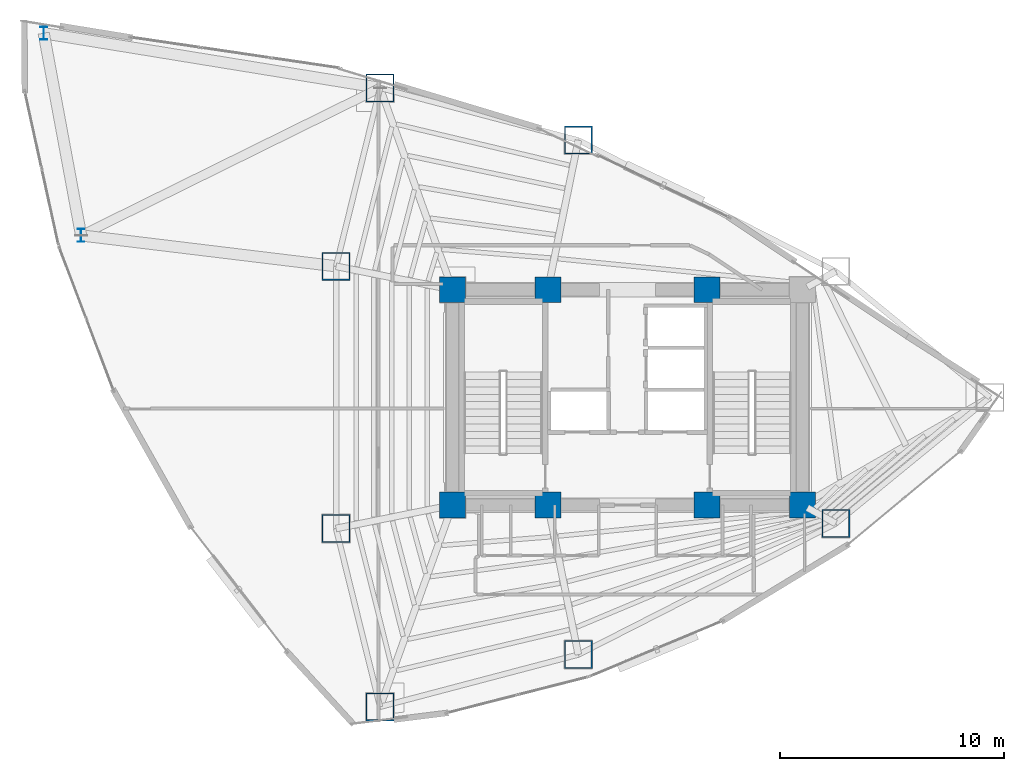
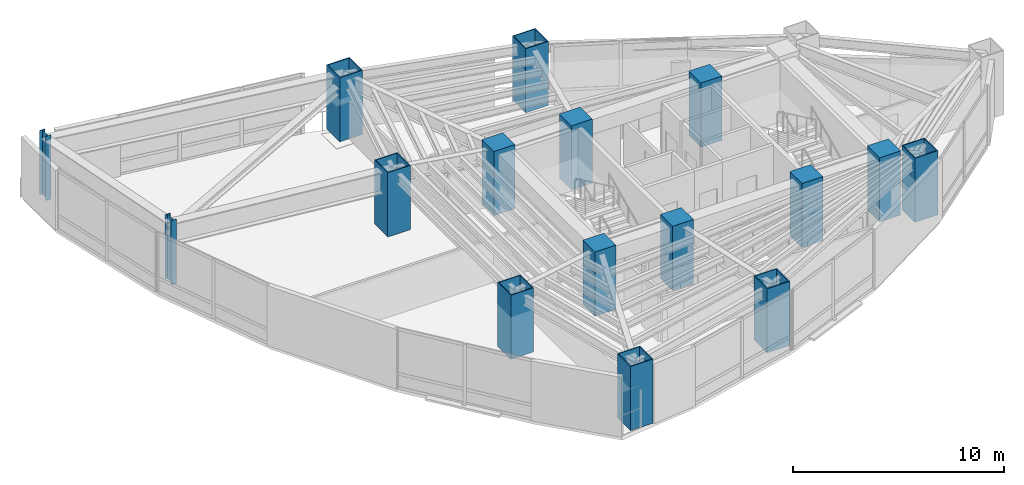
# One storey, part 1 of 23: 16 columns.
"""IFC4 building model written with IfcOpenShell, lengths in metres."""

from ifc_helpers import new_model, si_unit, direction, frame, origin, origin_2d, place, context, subcontext, project, spatial, rectangle, hollow_rectangle, i_section, extrude, material, material_profile, profile_set, type_object, element, save


model = new_model("IFC4")

# Units and contexts
model_context = context("Model", 3, precision=1e-05, world=origin(), true_north=direction((0.0, 1.0)))
body_context = subcontext(model_context, "Body", "Model", "MODEL_VIEW")
ifc_project = project(units=[si_unit("LENGTHUNIT", "METRE"), si_unit("AREAUNIT", "SQUARE_METRE"), si_unit("VOLUMEUNIT", "CUBIC_METRE"), si_unit("PLANEANGLEUNIT", "RADIAN"), si_unit("MASSUNIT", "GRAM", prefix="KILO")], contexts=[model_context])

# Site, building, storey
site_placement = place(None, origin())
site = spatial("IfcSite", under=ifc_project, at=site_placement, CompositionType="ELEMENT")
building_placement = place(site_placement, origin())
building = spatial("IfcBuilding", under=site, at=building_placement, Name="Menara Vayukalpa", CompositionType="ELEMENT")
storey_placement = place(building_placement, frame((0.0, 0.0, 107.699951171875)))
storey = spatial("IfcBuildingStorey", under=building, at=storey_placement, Name="L26", CompositionType="ELEMENT", Elevation=107.699951171875)

# Columns
ifc_material_1 = material(Name="Concrete C80/95", Category="concrete")
ifc_material_profile_1 = material_profile(ifc_material_1, rectangle(XDim=1.14990234375, YDim=1.14990234375, at=origin_2d()), Name="RC 1150x1150")
ifc_profile_set_1 = profile_set([ifc_material_profile_1], Name="Concrete C80/95")
column_type_1 = type_object("IfcColumnType", Name="COL-CC1", PredefinedType="COLUMN", material=ifc_profile_set_1)
for number, where, z_axis, x_axis, name in (
    (1, (17.800048828125, 17.199951171875, 0.0), (0.0, 0.0, 1.0), (1.0, 0.0, 0.0), "L26 Core Pilaster Column CC1"),
    (2, (22.050048828125, 17.199951171875, 0.0), (0.0, 0.0, 1.0), (1.0, 0.0, 0.0), "L26 Core Pilaster Column CC2"),
    (3, (29.14990234375, 17.199951171875, 0.0), (0.0, 0.0, 1.0), (1.0, 0.0, 0.0), "L26 Core Pilaster Column CC3"),
    (4, (33.39990234375, 17.199951171875, 0.0), (0.0, 0.0, 1.0), (1.0, 0.0, 0.0), "L26 Core Pilaster Column CC4"),
    (5, (17.800048828125, 26.800048828125, 0.0), (0.0, 0.0, 1.0), (1.0, 0.0, 0.0), "L26 Core Pilaster Column CC5"),
    (6, (22.050048828125, 26.800048828125, 0.0), (0.0, 0.0, 1.0), (1.0, 0.0, 0.0), "L26 Core Pilaster Column CC6"),
    (7, (29.14990234375, 26.800048828125, 0.0), (0.0, 0.0, 1.0), (1.0, 0.0, 0.0), "L26 Core Pilaster Column CC7"),
):
    element("IfcColumn", number, at=place(storey_placement, frame(where, z_axis=z_axis, x_axis=x_axis)), inside=storey, type_object=column_type_1, Name=name, PredefinedType="COLUMN", context=body_context, shape_type="SweptSolid", body=[
        extrude(rectangle(XDim=1.14990234375, YDim=1.14990234375, at=origin_2d()), origin(), (0.0, 0.0, 1.0), 3.719970703125),
    ])
ifc_material_2 = material(Name="Steel S460", Category="steel")
ifc_material_profile_2 = material_profile(ifc_material_2, hollow_rectangle(XDim=1.25, YDim=1.25, WallThickness=0.050048828125, at=origin_2d()), Name="BOX 1250x1250x50")
ifc_profile_set_2 = profile_set([ifc_material_profile_2], Name="Steel S460")
column_type_2 = type_object("IfcColumnType", Name="COL-MC2", PredefinedType="COLUMN", material=ifc_profile_set_2)
for number, where, z_axis, x_axis, name in (
    (8, (23.408203125, 33.46728515625, 0.0), (0.0, 0.0, 1.0), (1.0, 0.0, 0.0), "L26 Perimeter Mega Column P03"),
    (9, (14.569091796875, 35.79736328125, 0.0), (0.0, 0.0, 1.0), (1.0, 0.0, 0.0), "L26 Perimeter Mega Column P04"),
    (10, (12.606689453125, 27.845703125, 0.0), (0.0, 0.0, 1.0), (1.0, 0.0, 0.0), "L26 Perimeter Mega Column P05"),
    (11, (12.606689453125, 16.154296875, 0.0), (0.0, 0.0, 1.0), (1.0, 0.0, 0.0), "L26 Perimeter Mega Column P06"),
    (12, (14.569091796875, 8.20263671875, 0.0), (0.0, 0.0, 1.0), (1.0, 0.0, 0.0), "L26 Perimeter Mega Column P07"),
    (13, (23.408203125, 10.53271484375, 0.0), (0.0, 0.0, 1.0), (1.0, 0.0, 0.0), "L26 Perimeter Mega Column P08"),
    (14, (34.88671875, 16.37841796875, 0.0), (0.0, 0.0, 1.0), (1.0, 0.0, 0.0), "L26 Perimeter Mega Column P09"),
):
    element("IfcColumn", number, at=place(storey_placement, frame(where, z_axis=z_axis, x_axis=x_axis)), inside=storey, type_object=column_type_2, Name=name, PredefinedType="COLUMN", context=body_context, shape_type="SweptSolid", body=[
        extrude(hollow_rectangle(XDim=1.25, YDim=1.25, WallThickness=0.050048828125, at=origin_2d()), origin(), (0.0, 0.0, 1.0), 3.719970703125),
    ])
ifc_material_3 = material(Name="Steel S460", Category="steel")
ifc_material_profile_3 = material_profile(ifc_material_3, i_section(OverallWidth=0.300048828125, OverallDepth=0.587890625, WebThickness=0.011962890625, FlangeThickness=0.02001953125, at=origin_2d()), Name="H 588x300x12x20")
ifc_profile_set_3 = profile_set([ifc_material_profile_3], Name="Steel S460")
column_type_3 = type_object("IfcColumnType", Name="COL-SC1", PredefinedType="COLUMN", material=ifc_profile_set_3)
for number, where, z_axis, x_axis, name in (
    (15, (-0.4287109375, 38.2373046875, 0.0), (0.0, 0.0, 1.0), (1.0, 0.0, 0.0), "L26 SB2 Sky Bar Vierendeel Column SB04"),
    (16, (1.239990234375, 29.22314453125, 0.0), (0.0, 0.0, 1.0), (1.0, 0.0, 0.0), "L26 SB2 Sky Bar Vierendeel Column SB05"),
):
    element("IfcColumn", number, at=place(storey_placement, frame(where, z_axis=z_axis, x_axis=x_axis)), inside=storey, type_object=column_type_3, Name=name, PredefinedType="COLUMN", context=body_context, shape_type="SweptSolid", body=[
        extrude(i_section(OverallWidth=0.300048828125, OverallDepth=0.587890625, WebThickness=0.011962890625, FlangeThickness=0.02001953125, at=origin_2d()), origin(), (0.0, 0.0, 1.0), 3.719970703125),
    ])

save(model, "model.ifc")
